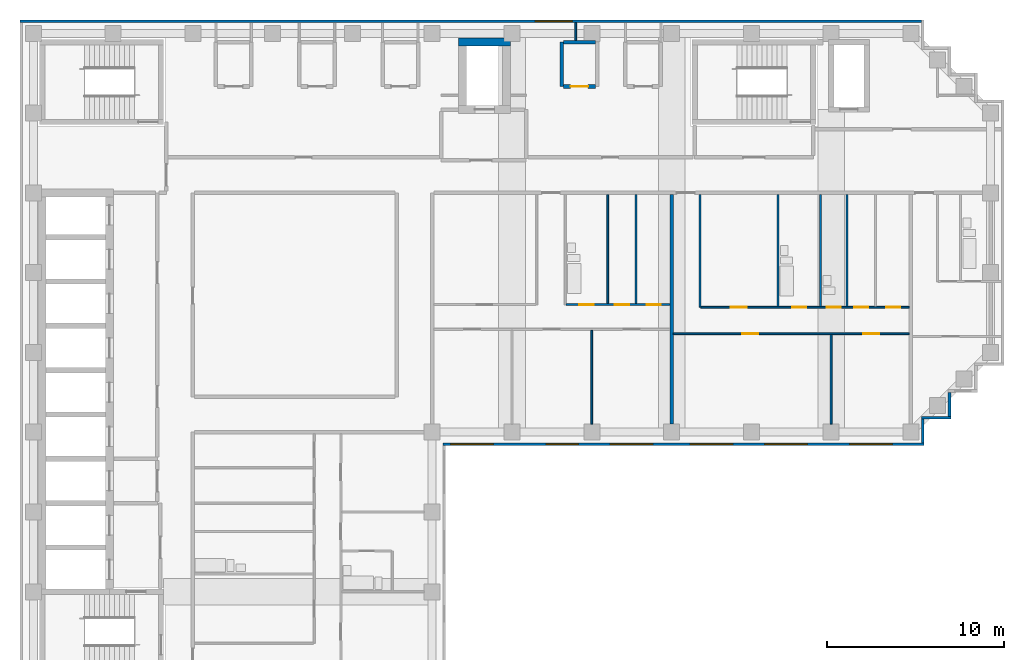
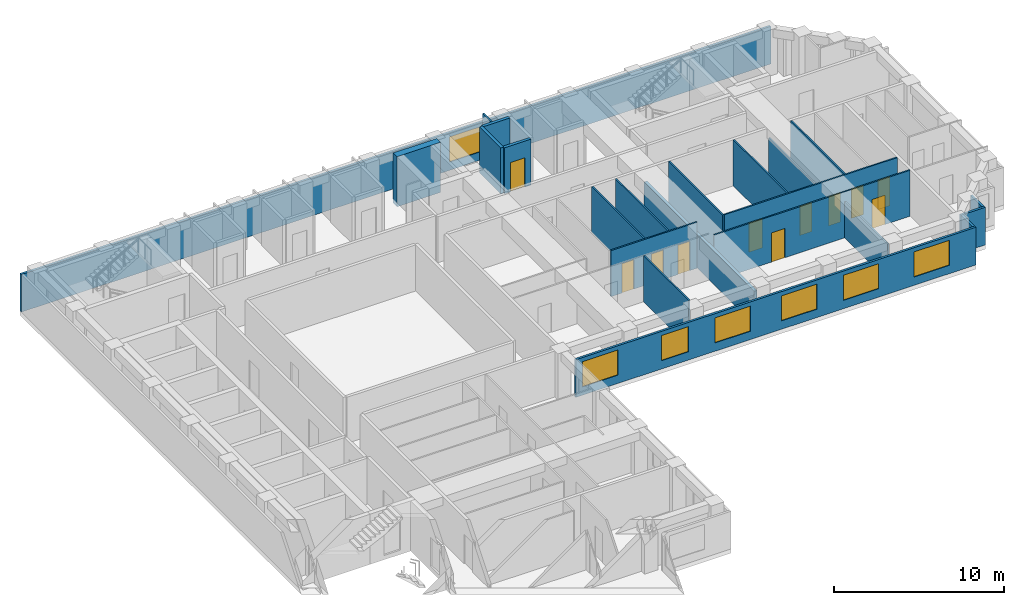
# One storey, part 6 of 10: 22 walls, 11 doors, 7 windows, 18 openings.
"""IFC4 building model written with IfcOpenShell, lengths in metres."""

import ifcopenshell
import ifcopenshell.guid

model = None  # the IFC model being written
_history = None  # IfcOwnerHistory: only IFC2X3 demands one
_inside = {}  # id of a spatial element -> (the spatial element, [elements in it])
_under = {}  # id of a project, library or spatial element -> (it, [spatial elements below it])
_declared = {}  # id of a project -> (the project, [libraries it declares])
_typed = {}  # id of a type object -> (the type object, [elements of that type])
_made_of = {}  # id of a material, layer set ... -> (it, [elements and type objects made of it])


def new_model(schema):
    """Start an empty IFC model of exactly this schema.

    Asked for "IFC4X3", IfcOpenShell would pick the latest addendum, in which some entities
    have other attributes; the version numbers below select the first issue.
    IFC2X3 requires an IfcOwnerHistory on every rooted entity: one is made here for all.
    """
    global model, _history
    if schema == "IFC4X3":
        model = ifcopenshell.file(schema_version=(4, 3, 0, 0))
    else:
        model = ifcopenshell.file(schema=schema)
    _inside.clear()
    _under.clear()
    _declared.clear()
    _typed.clear()
    _made_of.clear()
    _history = None
    if model.schema == "IFC2X3":
        org = make("IfcOrganization", Name="unknown")
        user = make(
            "IfcPersonAndOrganization",
            ThePerson=make("IfcPerson", FamilyName="unknown"),
            TheOrganization=org,
        )
        app = make(
            "IfcApplication",
            ApplicationDeveloper=org,
            Version="unknown",
            ApplicationFullName="unknown",
            ApplicationIdentifier="unknown",
        )
        _history = make(
            "IfcOwnerHistory",
            OwningUser=user,
            OwningApplication=app,
            ChangeAction="ADDED",
            CreationDate=0,
        )
    return model


def make(cls, **values):
    """One entity of the class cls with the attributes given. An attribute that is None is left unset."""
    return model.create_entity(
        cls, **{name: value for name, value in values.items() if value is not None}
    )


def rooted(cls, **values):
    """An entity with a GlobalId (a new one), such as an element, a storey or a relation."""
    return make(cls, GlobalId=ifcopenshell.guid.new(), OwnerHistory=_history, **values)


def si_unit(unit_type, name, prefix=None):
    """IfcSIUnit, for example si_unit("LENGTHUNIT", "METRE", prefix="MILLI")."""
    return make("IfcSIUnit", UnitType=unit_type, Prefix=prefix, Name=name)


def assignment(units):
    """IfcUnitAssignment: the units of a project."""
    return None if units is None else make("IfcUnitAssignment", Units=units)


def point(xyz):
    """IfcCartesianPoint."""
    return None if xyz is None else make("IfcCartesianPoint", Coordinates=xyz)


def direction(xyz):
    """IfcDirection."""
    return None if xyz is None else make("IfcDirection", DirectionRatios=xyz)


def frame(location, z_axis=None, x_axis=None):
    """IfcAxis2Placement3D, a coordinate frame: its origin and axes. An axis left out is left unset."""
    return make(
        "IfcAxis2Placement3D",
        Location=point(location),
        Axis=direction(z_axis),
        RefDirection=direction(x_axis),
    )


def frame_2d(location, x_axis=None):
    """IfcAxis2Placement2D, a coordinate frame in the plane: its origin and x axis."""
    return make(
        "IfcAxis2Placement2D", Location=point(location), RefDirection=direction(x_axis)
    )


def origin():
    """The frame at (0, 0, 0) with its axes left unset."""
    return frame((0.0, 0.0, 0.0))


def place(relative_to, where):
    """IfcLocalPlacement: puts the frame where relative to a parent placement (None: the world)."""
    return make(
        "IfcLocalPlacement", PlacementRelTo=relative_to, RelativePlacement=where
    )


def context(
    kind, dimensions, precision=None, world=None, true_north=None, identifier=None
):
    """IfcGeometricRepresentationContext, for example the 3D "Model" context."""
    return make(
        "IfcGeometricRepresentationContext",
        ContextIdentifier=identifier,
        ContextType=kind,
        CoordinateSpaceDimension=dimensions,
        Precision=precision,
        WorldCoordinateSystem=world,
        TrueNorth=true_north,
    )


def subcontext(parent, identifier, kind, view, scale=None):
    """IfcGeometricRepresentationSubContext, for example "Body" below "Model"."""
    return make(
        "IfcGeometricRepresentationSubContext",
        ContextIdentifier=identifier,
        ContextType=kind,
        ParentContext=parent,
        TargetScale=scale,
        TargetView=view,
    )


def project(units=None, contexts=None):
    """IfcProject with its units and contexts."""
    return rooted(
        "IfcProject",
        Name="project",
        RepresentationContexts=contexts,
        UnitsInContext=assignment(units),
    )


def spatial(cls, under=None, at=None, **own):
    """A site, building, storey or space (cls), placed at a placement, below another one or the project."""
    s = rooted(cls, ObjectPlacement=at, **own)
    if under is not None:
        _under.setdefault(under.id(), (under, []))[1].append(s)
    return s


def profile(cls, at=None, kind="AREA", **sizes):
    """A parametric profile (cls). Its sizes go by their IFC names, for example OverallWidth=200.0."""
    return make(cls, ProfileType=kind, Position=at, **sizes)


def rectangle(**sizes):
    """IfcRectangleProfileDef."""
    return profile("IfcRectangleProfileDef", **sizes)


def extrude(swept, where, along, depth):
    """IfcExtrudedAreaSolid: the profile swept, set in the frame where, extruded along a direction by depth."""
    return make(
        "IfcExtrudedAreaSolid",
        SweptArea=swept,
        Position=where,
        ExtrudedDirection=direction(along),
        Depth=depth,
    )


def shape(context_of_items, identifier, shape_type, items):
    """IfcShapeRepresentation: the items that make up one representation, for example the "Body"."""
    return make(
        "IfcShapeRepresentation",
        ContextOfItems=context_of_items,
        RepresentationIdentifier=identifier,
        RepresentationType=shape_type,
        Items=items,
    )


def material(Name=None, Category=None):
    """IfcMaterial."""
    return make("IfcMaterial", Name=Name, Category=Category)


def layer(
    of_material, thickness, ventilated=None, Name=None, Category=None, Priority=None
):
    """IfcMaterialLayer: one layer of a wall or slab, of a material (None: an air gap)."""
    return make(
        "IfcMaterialLayer",
        Material=of_material,
        LayerThickness=thickness,
        IsVentilated=ventilated,
        Name=Name,
        Category=Category,
        Priority=Priority,
    )


def layer_set(layers, Name=None):
    """IfcMaterialLayerSet."""
    return make("IfcMaterialLayerSet", MaterialLayers=layers, LayerSetName=Name)


def made_of(thing, what):
    """Note that an element or type object is made of a material, layer set ...; save() writes the relation."""
    if what is not None:
        _made_of.setdefault(what.id(), (what, []))[1].append(thing)
    return thing


def type_object(cls, material=None, **own):
    """A type object (cls), such as IfcWallType, which elements share."""
    return made_of(rooted(cls, **own), material)


def element(
    cls,
    number,
    at=None,
    inside=None,
    cuts=None,
    type_object=None,
    material=None,
    context=None,
    identifier="Body",
    shape_type=None,
    held_by="IfcProductDefinitionShape",
    body=None,
    shapes=None,
    **own,
):
    """One element of the class cls, such as IfcWall. Its Tag is "e" and its number.

    at: its placement. inside: the storey or other place that contains it. cuts: it is an
    opening in that element (IfcRelVoidsElement). A single representation is given by context,
    identifier, shape_type and body (its items); several are given by shapes. held_by: the class
    of the entity that holds the representations. save() writes the other relations.
    """
    e = rooted(cls, Tag="e%d" % number, ObjectPlacement=at, **own)
    if body is not None:
        shapes = [shape(context, identifier, shape_type, body)]
    if shapes is not None:
        e.Representation = make(held_by, Representations=shapes)
    if inside is not None:
        _inside.setdefault(inside.id(), (inside, []))[1].append(e)
    if cuts is not None:
        rooted(
            "IfcRelVoidsElement", RelatingBuildingElement=cuts, RelatedOpeningElement=e
        )
    if type_object is not None:
        _typed.setdefault(type_object.id(), (type_object, []))[1].append(e)
    return made_of(e, material)


def fill(opening, filler):
    """IfcRelFillsElement: the door or window that sits in an opening."""
    return rooted(
        "IfcRelFillsElement",
        RelatingOpeningElement=opening,
        RelatedBuildingElement=filler,
    )


def aggregate(whole, parts):
    """IfcRelAggregates: a whole, such as a stair, and the parts it consists of."""
    return rooted("IfcRelAggregates", RelatingObject=whole, RelatedObjects=parts)


def save(model, path):
    """Write the relations noted so far, then the file.

    IfcRelAggregates (storeys below a building ...), IfcRelContainedInSpatialStructure (elements
    in a storey), IfcRelDefinesByType, IfcRelAssociatesMaterial and IfcRelDeclares: one each for
    every whole, place, type object, material and project.
    """
    for whole, parts in _under.values():
        aggregate(whole, parts)
    for where, things in _inside.values():
        rooted(
            "IfcRelContainedInSpatialStructure",
            RelatedElements=things,
            RelatingStructure=where,
        )
    for kind, things in _typed.values():
        rooted("IfcRelDefinesByType", RelatedObjects=things, RelatingType=kind)
    for what, things in _made_of.values():
        rooted("IfcRelAssociatesMaterial", RelatedObjects=things, RelatingMaterial=what)
    for by, libraries in _declared.values():
        rooted("IfcRelDeclares", RelatingContext=by, RelatedDefinitions=libraries)
    model.write(path)


model = new_model("IFC4")

# Units and contexts
model_context = context("Model", 3, precision=1e-05, world=origin(), true_north=direction((0.0, 1.0)))
body_context = subcontext(model_context, "Body", "Model", "MODEL_VIEW")
ifc_project = project(units=[si_unit("LENGTHUNIT", "METRE"), si_unit("AREAUNIT", "SQUARE_METRE"), si_unit("VOLUMEUNIT", "CUBIC_METRE"), si_unit("PLANEANGLEUNIT", "RADIAN"), si_unit("MASSUNIT", "GRAM", prefix="KILO")], contexts=[model_context])

# Site, building, storey
site_placement = place(None, origin())
site = spatial("IfcSite", under=ifc_project, at=site_placement, CompositionType="ELEMENT")
building_placement = place(site_placement, origin())
building = spatial("IfcBuilding", under=site, at=building_placement, Name="Firuza Court", CompositionType="ELEMENT")
storey_placement = place(building_placement, frame((0.0, 0.0, 193.39990234375)))
storey = spatial("IfcBuildingStorey", under=building, at=storey_placement, Name="L49", CompositionType="ELEMENT", Elevation=193.39990234375)

# Walls
ifc_material_1 = material(Name="Moisture-resistant gypsum board partition")
ifc_layer_1 = layer(ifc_material_1, 0.10009765625)
ifc_layer_set_1 = layer_set([ifc_layer_1], Name="Moisture-resistant gypsum board partition")
wall_type_1 = type_object("IfcWallType", Name="Bathroom partition 100", PredefinedType="PLUMBINGWALL", material=ifc_layer_set_1)
wall_1_placement = place(storey_placement, frame((42.0, 43.10009765625, 0.0), z_axis=(0.0, 0.0, 1.0), x_axis=(0.0, 1.0, 0.0)))
element("IfcWall", 1, at=wall_1_placement, inside=storey, type_object=wall_type_1, Name="Bathroom partition 100 L49", PredefinedType="PLUMBINGWALL", context=body_context, shape_type="SweptSolid", body=[
    extrude(rectangle(XDim=6.2998046875, YDim=0.10009765625, at=frame_2d((3.14990234375, 0.0))), origin(), (0.0, 0.0, 1.0), 3.300048828125),
])
wall_2_placement = place(storey_placement, frame((44.39990234375, 43.10009765625, 0.0), z_axis=(0.0, 0.0, 1.0), x_axis=(0.0, 1.0, 0.0)))
element("IfcWall", 2, at=wall_2_placement, inside=storey, type_object=wall_type_1, Name="Bathroom partition 100 L49", PredefinedType="PLUMBINGWALL", context=body_context, shape_type="SweptSolid", body=[
    extrude(rectangle(XDim=6.2998046875, YDim=0.10009765625, at=frame_2d((3.14990234375, 0.0))), origin(), (0.0, 0.0, 1.0), 2.60009765625),
])
wall_3_placement = place(storey_placement, frame((45.89990234375, 43.10009765625, 0.0), z_axis=(0.0, 0.0, 1.0), x_axis=(0.0, 1.0, 0.0)))
element("IfcWall", 3, at=wall_3_placement, inside=storey, type_object=wall_type_1, Name="Bathroom partition 100 L49", PredefinedType="PLUMBINGWALL", context=body_context, shape_type="SweptSolid", body=[
    extrude(rectangle(XDim=6.2998046875, YDim=0.10009765625, at=frame_2d((3.14990234375, 0.0))), origin(), (0.0, 0.0, 1.0), 3.300048828125),
])
wall_4_placement = place(storey_placement, frame((32.39990234375, 43.25, 0.0), z_axis=(0.0, 0.0, 1.0), x_axis=(0.0, 1.0, 0.0)))
element("IfcWall", 4, at=wall_4_placement, inside=storey, type_object=wall_type_1, Name="Bathroom partition 100 L49", PredefinedType="PLUMBINGWALL", context=body_context, shape_type="SweptSolid", body=[
    extrude(rectangle(XDim=6.14990234375, YDim=0.10009765625, at=frame_2d((3.074951171875, 0.0))), origin(), (0.0, 0.0, 1.0), 3.300048828125),
])
ifc_material_2 = material(Name="Concrete C50/60", Category="concrete")
ifc_layer_2 = layer(ifc_material_2, 0.449951171875)
ifc_layer_set_2 = layer_set([ifc_layer_2], Name="Concrete C50/60")
wall_type_2 = type_object("IfcWallType", Name="Core wall 450 C50/60", PredefinedType="SHEAR", material=ifc_layer_set_2)
wall_5_placement = place(storey_placement, frame((23.97509765625, 58.0, -0.2998046875), z_axis=(0.0, 0.0, 1.0), x_axis=(1.0, 0.0, 0.0)))
element("IfcWall", 5, at=wall_5_placement, inside=storey, type_object=wall_type_2, Name="Core wall lift shaft L49", PredefinedType="SHEAR", context=body_context, shape_type="SweptSolid", body=[
    extrude(rectangle(XDim=2.949951171875, YDim=0.449951171875, at=frame_2d((1.47509765625, 0.0))), origin(), (0.0, 0.0, 1.0), 3.599853515625),
])
ifc_material_3 = material(Name="Timber stud partition, plasterboard both sides", Category="wood")
ifc_layer_3 = layer(ifc_material_3, 0.10009765625)
ifc_layer_set_3 = layer_set([ifc_layer_3], Name="Timber stud partition, plasterboard both sides")
wall_type_3 = type_object("IfcWallType", Name="Partition wall 100", PredefinedType="PARTITIONING", material=ifc_layer_set_3)
wall_6_placement = place(storey_placement, frame((31.5, 36.449951171875, 0.0), z_axis=(0.0, 0.0, 1.0), x_axis=(0.0, 1.0, 0.0)))
element("IfcWall", 6, at=wall_6_placement, inside=storey, type_object=wall_type_3, Name="Partition wall 100 L49", PredefinedType="PARTITIONING", context=body_context, shape_type="SweptSolid", body=[
    extrude(rectangle(XDim=5.300048828125, YDim=0.10009765625, at=frame_2d((2.64990234375, 0.0))), origin(), (0.0, 0.0, 1.0), 3.300048828125),
])
wall_7_placement = place(storey_placement, frame((45.0, 36.449951171875, 0.0), z_axis=(0.0, 0.0, 1.0), x_axis=(0.0, 1.0, 0.0)))
element("IfcWall", 7, at=wall_7_placement, inside=storey, type_object=wall_type_3, Name="Partition wall 100 L49", PredefinedType="PARTITIONING", context=body_context, shape_type="SweptSolid", body=[
    extrude(rectangle(XDim=5.050048828125, YDim=0.10009765625, at=frame_2d((2.52490234375, 0.0))), origin(), (0.0, 0.0, 1.0), 2.60009765625),
])

# Wall, openings, doors
wall_8_placement = place(storey_placement, frame((36.10009765625, 41.550048828125, 0.0), z_axis=(0.0, 0.0, 1.0), x_axis=(1.0, 0.0, 0.0)))
wall_8 = element("IfcWall", 8, at=wall_8_placement, inside=storey, type_object=wall_type_3, Name="Partition wall 100 L49", PredefinedType="PARTITIONING", context=body_context, shape_type="SweptSolid", body=[
    extrude(rectangle(XDim=13.2998046875, YDim=0.10009765625, at=frame_2d((6.64990234375, 0.0))), origin(), (0.0, 0.0, 1.0), 3.300048828125),
])
opening_1_placement = place(wall_8_placement, frame((3.89990234375, 0.0, 0.0)))
opening_1 = element("IfcOpeningElement", 9, at=opening_1_placement, cuts=wall_8, Name="Opening D49039", PredefinedType="OPENING", context=body_context, shape_type="SweptSolid", body=[
    extrude(rectangle(XDim=0.89990234375, YDim=2.10009765625, at=frame_2d((0.449951171875, 1.050048828125))), frame((0.0, 0.06201171875, 0.0), z_axis=(0.0, -1.0, 0.0), x_axis=(1.0, 0.0, 0.0)), (0.0, 0.0, 1.0), 0.1240234375),
])
opening_2_placement = place(wall_8_placement, frame((10.699951171875, 0.0, 0.0)))
opening_2 = element("IfcOpeningElement", 10, at=opening_2_placement, cuts=wall_8, Name="Opening D49040", PredefinedType="OPENING", context=body_context, shape_type="SweptSolid", body=[
    extrude(rectangle(XDim=0.89990234375, YDim=2.10009765625, at=frame_2d((0.449951171875, 1.050048828125))), frame((0.0, 0.06201171875, 0.0), z_axis=(0.0, -1.0, 0.0), x_axis=(1.0, 0.0, 0.0)), (0.0, 0.0, 1.0), 0.1240234375),
])
ifc_material_4 = material(Name="Timber door leaf in hardwood frame", Category="wood")
door_type_1 = type_object("IfcDoorType", Name="Room door 900", OperationType="SINGLE_SWING_LEFT", PredefinedType="DOOR", material=ifc_material_4)
door_1_placement = place(opening_1_placement, frame((0.89990234375, 0.0, 0.0), z_axis=(0.0, 0.0, 1.0), x_axis=(-1.0, 0.0, 0.0)))
door_1 = element("IfcDoor", 11, at=door_1_placement, inside=storey, type_object=door_type_1, Name="Living room door", OperationType="SINGLE_SWING_RIGHT", OverallHeight=2.10009765625, OverallWidth=0.89990234375, PredefinedType="DOOR", context=body_context, shape_type="SweptSolid", body=[
    extrude(rectangle(XDim=0.89990234375, YDim=2.10009765625, at=frame_2d((0.449951171875, 1.050048828125))), frame((0.0, 0.02490234375, 0.0), z_axis=(0.0, -1.0, 0.0), x_axis=(1.0, 0.0, 0.0)), (0.0, 0.0, 1.0), 0.050048828125),
])
fill(opening_1, door_1)
door_2_placement = place(opening_2_placement, frame((0.89990234375, 0.0, 0.0), z_axis=(0.0, 0.0, 1.0), x_axis=(-1.0, 0.0, 0.0)))
door_2 = element("IfcDoor", 12, at=door_2_placement, inside=storey, type_object=door_type_1, Name="Bedroom door", OperationType="SINGLE_SWING_RIGHT", OverallHeight=2.10009765625, OverallWidth=0.89990234375, PredefinedType="DOOR", context=body_context, shape_type="SweptSolid", body=[
    extrude(rectangle(XDim=0.89990234375, YDim=2.10009765625, at=frame_2d((0.449951171875, 1.050048828125))), frame((0.0, 0.02490234375, 0.0), z_axis=(0.0, -1.0, 0.0), x_axis=(1.0, 0.0, 0.0)), (0.0, 0.0, 1.0), 0.050048828125),
])
fill(opening_2, door_2)

# Wall
wall_9_placement = place(storey_placement, frame((37.60009765625, 43.050048828125, 0.0), z_axis=(0.0, 0.0, 1.0), x_axis=(0.0, 1.0, 0.0)))
element("IfcWall", 13, at=wall_9_placement, inside=storey, type_object=wall_type_3, Name="Partition wall 100 L49", PredefinedType="PARTITIONING", context=body_context, shape_type="SweptSolid", body=[
    extrude(rectangle(XDim=6.349853515625, YDim=0.10009765625, at=frame_2d((3.1748046875, 0.0))), origin(), (0.0, 0.0, 1.0), 3.300048828125),
])

# Wall, openings, doors
wall_10_placement = place(storey_placement, frame((37.64990234375, 43.050048828125, 0.0), z_axis=(0.0, 0.0, 1.0), x_axis=(1.0, 0.0, 0.0)))
wall_10 = element("IfcWall", 14, at=wall_10_placement, inside=storey, type_object=wall_type_3, Name="Partition wall 100 L49", PredefinedType="PARTITIONING", context=body_context, shape_type="SweptSolid", body=[
    extrude(rectangle(XDim=11.75, YDim=0.10009765625, at=frame_2d((5.875, 0.0))), origin(), (0.0, 0.0, 1.0), 3.300048828125),
])
opening_3_placement = place(wall_10_placement, frame((5.14990234375, 0.0, 0.0)))
opening_3 = element("IfcOpeningElement", 15, at=opening_3_placement, cuts=wall_10, Name="Opening D49044", PredefinedType="OPENING", context=body_context, shape_type="SweptSolid", body=[
    extrude(rectangle(XDim=0.800048828125, YDim=2.10009765625, at=frame_2d((0.39990234375, 1.050048828125))), frame((0.0, 0.06201171875, 0.0), z_axis=(0.0, -1.0, 0.0), x_axis=(1.0, 0.0, 0.0)), (0.0, 0.0, 1.0), 0.1240234375),
])
opening_4_placement = place(wall_10_placement, frame((1.699951171875, 0.0, 0.0)))
opening_4 = element("IfcOpeningElement", 16, at=opening_4_placement, cuts=wall_10, Name="Opening D49045", PredefinedType="OPENING", context=body_context, shape_type="SweptSolid", body=[
    extrude(rectangle(XDim=0.89990234375, YDim=2.10009765625, at=frame_2d((0.449951171875, 1.050048828125))), frame((0.0, 0.06201171875, 0.0), z_axis=(0.0, -1.0, 0.0), x_axis=(1.0, 0.0, 0.0)), (0.0, 0.0, 1.0), 0.1240234375),
])
opening_5_placement = place(wall_10_placement, frame((8.64990234375, 0.0, 0.0)))
opening_5 = element("IfcOpeningElement", 17, at=opening_5_placement, cuts=wall_10, Name="Opening D49046", PredefinedType="OPENING", context=body_context, shape_type="SweptSolid", body=[
    extrude(rectangle(XDim=0.800048828125, YDim=2.10009765625, at=frame_2d((0.39990234375, 1.050048828125))), frame((0.0, 0.06201171875, 0.0), z_axis=(0.0, -1.0, 0.0), x_axis=(1.0, 0.0, 0.0)), (0.0, 0.0, 1.0), 0.1240234375),
])
opening_6_placement = place(wall_10_placement, frame((10.449951171875, 0.0, 0.0)))
opening_6 = element("IfcOpeningElement", 18, at=opening_6_placement, cuts=wall_10, Name="Opening D49047", PredefinedType="OPENING", context=body_context, shape_type="SweptSolid", body=[
    extrude(rectangle(XDim=0.800048828125, YDim=2.10009765625, at=frame_2d((0.39990234375, 1.050048828125))), frame((0.0, 0.06201171875, 0.0), z_axis=(0.0, -1.0, 0.0), x_axis=(1.0, 0.0, 0.0)), (0.0, 0.0, 1.0), 0.1240234375),
])
opening_7_placement = place(wall_10_placement, frame((7.10009765625, 0.0, 0.0)))
opening_7 = element("IfcOpeningElement", 19, at=opening_7_placement, cuts=wall_10, Name="Opening D49048", PredefinedType="OPENING", context=body_context, shape_type="SweptSolid", body=[
    extrude(rectangle(XDim=0.800048828125, YDim=2.10009765625, at=frame_2d((0.39990234375, 1.050048828125))), frame((0.0, 0.06201171875, 0.0), z_axis=(0.0, -1.0, 0.0), x_axis=(1.0, 0.0, 0.0)), (0.0, 0.0, 1.0), 0.1240234375),
])
ifc_material_5 = material(Name="Timber door leaf in hardwood frame", Category="wood")
door_type_2 = type_object("IfcDoorType", Name="Bathroom door 800", OperationType="SINGLE_SWING_LEFT", PredefinedType="DOOR", material=ifc_material_5)
door_3_placement = place(opening_3_placement, origin())
door_3 = element("IfcDoor", 20, at=door_3_placement, inside=storey, type_object=door_type_2, Name="Bathroom door", OperationType="SINGLE_SWING_LEFT", OverallHeight=2.10009765625, OverallWidth=0.800048828125, PredefinedType="DOOR", context=body_context, shape_type="SweptSolid", body=[
    extrude(rectangle(XDim=0.800048828125, YDim=2.10009765625, at=frame_2d((0.39990234375, 1.050048828125))), frame((0.0, 0.02490234375, 0.0), z_axis=(0.0, -1.0, 0.0), x_axis=(1.0, 0.0, 0.0)), (0.0, 0.0, 1.0), 0.050048828125),
])
fill(opening_3, door_3)
door_4_placement = place(opening_7_placement, origin())
door_4 = element("IfcDoor", 21, at=door_4_placement, inside=storey, type_object=door_type_2, Name="Powder room door", OperationType="SINGLE_SWING_LEFT", OverallHeight=2.10009765625, OverallWidth=0.800048828125, PredefinedType="DOOR", context=body_context, shape_type="SweptSolid", body=[
    extrude(rectangle(XDim=0.800048828125, YDim=2.10009765625, at=frame_2d((0.39990234375, 1.050048828125))), frame((0.0, 0.02490234375, 0.0), z_axis=(0.0, -1.0, 0.0), x_axis=(1.0, 0.0, 0.0)), (0.0, 0.0, 1.0), 0.050048828125),
])
fill(opening_7, door_4)
ifc_material_6 = material(Name="Timber door leaf in hardwood frame", Category="wood")
door_type_3 = type_object("IfcDoorType", Name="Room door 800", OperationType="SINGLE_SWING_LEFT", PredefinedType="DOOR", material=ifc_material_6)
door_5_placement = place(opening_5_placement, origin())
door_5 = element("IfcDoor", 22, at=door_5_placement, inside=storey, type_object=door_type_3, Name="Store door", OperationType="SINGLE_SWING_LEFT", OverallHeight=2.10009765625, OverallWidth=0.800048828125, PredefinedType="DOOR", context=body_context, shape_type="SweptSolid", body=[
    extrude(rectangle(XDim=0.800048828125, YDim=2.10009765625, at=frame_2d((0.39990234375, 1.050048828125))), frame((0.0, 0.02490234375, 0.0), z_axis=(0.0, -1.0, 0.0), x_axis=(1.0, 0.0, 0.0)), (0.0, 0.0, 1.0), 0.050048828125),
])
fill(opening_5, door_5)
door_6_placement = place(opening_6_placement, origin())
door_6 = element("IfcDoor", 23, at=door_6_placement, inside=storey, type_object=door_type_3, Name="Utility room door", OperationType="SINGLE_SWING_LEFT", OverallHeight=2.10009765625, OverallWidth=0.800048828125, PredefinedType="DOOR", context=body_context, shape_type="SweptSolid", body=[
    extrude(rectangle(XDim=0.800048828125, YDim=2.10009765625, at=frame_2d((0.39990234375, 1.050048828125))), frame((0.0, 0.02490234375, 0.0), z_axis=(0.0, -1.0, 0.0), x_axis=(1.0, 0.0, 0.0)), (0.0, 0.0, 1.0), 0.050048828125),
])
fill(opening_6, door_6)
door_7_placement = place(opening_4_placement, origin())
door_7 = element("IfcDoor", 24, at=door_7_placement, inside=storey, type_object=door_type_1, Name="Kitchen door", OperationType="SINGLE_SWING_LEFT", OverallHeight=2.10009765625, OverallWidth=0.89990234375, PredefinedType="DOOR", context=body_context, shape_type="SweptSolid", body=[
    extrude(rectangle(XDim=0.89990234375, YDim=2.10009765625, at=frame_2d((0.449951171875, 1.050048828125))), frame((0.0, 0.02490234375, 0.0), z_axis=(0.0, -1.0, 0.0), x_axis=(1.0, 0.0, 0.0)), (0.0, 0.0, 1.0), 0.050048828125),
])
fill(opening_4, door_7)

wall_11_placement = place(storey_placement, frame((30.050048828125, 43.199951171875, 0.0), z_axis=(0.0, 0.0, 1.0), x_axis=(1.0, 0.0, 0.0)))
wall_11 = element("IfcWall", 25, at=wall_11_placement, inside=storey, type_object=wall_type_3, Name="Partition wall 100 L49", PredefinedType="PARTITIONING", context=body_context, shape_type="SweptSolid", body=[
    extrude(rectangle(XDim=5.849853515625, YDim=0.10009765625, at=frame_2d((2.9248046875, 0.0))), origin(), (0.0, 0.0, 1.0), 3.300048828125),
])
opening_8_placement = place(wall_11_placement, frame((0.75, 0.0, 0.0)))
opening_8 = element("IfcOpeningElement", 26, at=opening_8_placement, cuts=wall_11, Name="Opening D49050", PredefinedType="OPENING", context=body_context, shape_type="SweptSolid", body=[
    extrude(rectangle(XDim=0.800048828125, YDim=2.10009765625, at=frame_2d((0.39990234375, 1.050048828125))), frame((0.0, 0.06201171875, 0.0), z_axis=(0.0, -1.0, 0.0), x_axis=(1.0, 0.0, 0.0)), (0.0, 0.0, 1.0), 0.1240234375),
])
opening_9_placement = place(wall_11_placement, frame((2.75, 0.0, 0.0)))
opening_9 = element("IfcOpeningElement", 27, at=opening_9_placement, cuts=wall_11, Name="Opening D49051", PredefinedType="OPENING", context=body_context, shape_type="SweptSolid", body=[
    extrude(rectangle(XDim=0.800048828125, YDim=2.10009765625, at=frame_2d((0.39990234375, 1.050048828125))), frame((0.0, 0.06201171875, 0.0), z_axis=(0.0, -1.0, 0.0), x_axis=(1.0, 0.0, 0.0)), (0.0, 0.0, 1.0), 0.1240234375),
])
opening_10_placement = place(wall_11_placement, frame((4.550048828125, 0.0, 0.0)))
opening_10 = element("IfcOpeningElement", 28, at=opening_10_placement, cuts=wall_11, Name="Opening D49052", PredefinedType="OPENING", context=body_context, shape_type="SweptSolid", body=[
    extrude(rectangle(XDim=0.800048828125, YDim=2.10009765625, at=frame_2d((0.39990234375, 1.050048828125))), frame((0.0, 0.06201171875, 0.0), z_axis=(0.0, -1.0, 0.0), x_axis=(1.0, 0.0, 0.0)), (0.0, 0.0, 1.0), 0.1240234375),
])
door_8_placement = place(opening_8_placement, origin())
door_8 = element("IfcDoor", 29, at=door_8_placement, inside=storey, type_object=door_type_2, Name="Bathroom door", OperationType="SINGLE_SWING_LEFT", OverallHeight=2.10009765625, OverallWidth=0.800048828125, PredefinedType="DOOR", context=body_context, shape_type="SweptSolid", body=[
    extrude(rectangle(XDim=0.800048828125, YDim=2.10009765625, at=frame_2d((0.39990234375, 1.050048828125))), frame((0.0, 0.02490234375, 0.0), z_axis=(0.0, -1.0, 0.0), x_axis=(1.0, 0.0, 0.0)), (0.0, 0.0, 1.0), 0.050048828125),
])
fill(opening_8, door_8)
door_9_placement = place(opening_9_placement, origin())
door_9 = element("IfcDoor", 30, at=door_9_placement, inside=storey, type_object=door_type_3, Name="Store door", OperationType="SINGLE_SWING_LEFT", OverallHeight=2.10009765625, OverallWidth=0.800048828125, PredefinedType="DOOR", context=body_context, shape_type="SweptSolid", body=[
    extrude(rectangle(XDim=0.800048828125, YDim=2.10009765625, at=frame_2d((0.39990234375, 1.050048828125))), frame((0.0, 0.02490234375, 0.0), z_axis=(0.0, -1.0, 0.0), x_axis=(1.0, 0.0, 0.0)), (0.0, 0.0, 1.0), 0.050048828125),
])
fill(opening_9, door_9)
door_10_placement = place(opening_10_placement, origin())
door_10 = element("IfcDoor", 31, at=door_10_placement, inside=storey, type_object=door_type_3, Name="Utility room door", OperationType="SINGLE_SWING_LEFT", OverallHeight=2.10009765625, OverallWidth=0.800048828125, PredefinedType="DOOR", context=body_context, shape_type="SweptSolid", body=[
    extrude(rectangle(XDim=0.800048828125, YDim=2.10009765625, at=frame_2d((0.39990234375, 1.050048828125))), frame((0.0, 0.02490234375, 0.0), z_axis=(0.0, -1.0, 0.0), x_axis=(1.0, 0.0, 0.0)), (0.0, 0.0, 1.0), 0.050048828125),
])
fill(opening_10, door_10)

# Walls
wall_12_placement = place(storey_placement, frame((34.0, 43.25, 0.0), z_axis=(0.0, 0.0, 1.0), x_axis=(0.0, 1.0, 0.0)))
element("IfcWall", 32, at=wall_12_placement, inside=storey, type_object=wall_type_3, Name="Partition wall 100 L49", PredefinedType="PARTITIONING", context=body_context, shape_type="SweptSolid", body=[
    extrude(rectangle(XDim=6.14990234375, YDim=0.10009765625, at=frame_2d((3.074951171875, 0.0))), origin(), (0.0, 0.0, 1.0), 3.300048828125),
])
wall_13_placement = place(storey_placement, frame((30.60009765625, 58.10009765625, 0.0), z_axis=(0.0, 0.0, 1.0), x_axis=(0.0, 1.0, 0.0)))
element("IfcWall", 33, at=wall_13_placement, inside=storey, type_object=wall_type_3, Name="Partition wall 100 L49", PredefinedType="PARTITIONING", context=body_context, shape_type="SweptSolid", body=[
    extrude(rectangle(XDim=1.0, YDim=0.10009765625, at=frame_2d((0.5, 0.0))), origin(), (0.0, 0.0, 1.0), 3.300048828125),
])
ifc_material_7 = material(Name="Blockwork, plastered both sides", Category="masonry")
ifc_layer_4 = layer(ifc_material_7, 0.199951171875)
ifc_layer_set_4 = layer_set([ifc_layer_4], Name="Blockwork, plastered both sides")
wall_type_4 = type_object("IfcWallType", Name="Party wall 200", PredefinedType="PARTITIONING", material=ifc_layer_set_4)
wall_14_placement = place(storey_placement, frame((36.0, 36.449951171875, 0.0), z_axis=(0.0, 0.0, 1.0), x_axis=(0.0, 1.0, 0.0)))
element("IfcWall", 34, at=wall_14_placement, inside=storey, type_object=wall_type_4, Name="Party wall 200 L49", PredefinedType="PARTITIONING", context=body_context, shape_type="SweptSolid", body=[
    extrude(rectangle(XDim=12.949951171875, YDim=0.199951171875, at=frame_2d((6.47509765625, 0.0))), origin(), (0.0, 0.0, 1.0), 2.400146484375),
])
ifc_material_8 = material(Name="Blockwork, fire-rated", Category="masonry")
ifc_layer_5 = layer(ifc_material_8, 0.199951171875)
ifc_layer_set_5 = layer_set([ifc_layer_5], Name="Blockwork, fire-rated")
wall_type_5 = type_object("IfcWallType", Name="Plant room wall 200", PredefinedType="PARTITIONING", material=ifc_layer_set_5)
wall_15_placement = place(storey_placement, frame((29.800048828125, 55.5, 0.0), z_axis=(0.0, 0.0, 1.0), x_axis=(0.0, 1.0, 0.0)))
element("IfcWall", 35, at=wall_15_placement, inside=storey, type_object=wall_type_5, Name="Plant room wall 200 L49", PredefinedType="PARTITIONING", context=body_context, shape_type="SweptSolid", body=[
    extrude(rectangle(XDim=2.5, YDim=0.199951171875, at=frame_2d((1.25, 0.0))), origin(), (0.0, 0.0, 1.0), 3.300048828125),
])

# Wall, opening, door
wall_16_placement = place(storey_placement, frame((29.89990234375, 55.5, 0.0), z_axis=(0.0, 0.0, 1.0), x_axis=(1.0, 0.0, 0.0)))
wall_16 = element("IfcWall", 36, at=wall_16_placement, inside=storey, type_object=wall_type_5, Name="Plant room wall 200 L49", PredefinedType="PARTITIONING", context=body_context, shape_type="SweptSolid", body=[
    extrude(rectangle(XDim=1.800048828125, YDim=0.199951171875, at=frame_2d((0.89990234375, 0.0))), origin(), (0.0, 0.0, 1.0), 3.300048828125),
])
opening_11_placement = place(wall_16_placement, frame((0.39990234375, 0.0, 0.0)))
opening_11 = element("IfcOpeningElement", 37, at=opening_11_placement, cuts=wall_16, Name="Opening D49064", PredefinedType="OPENING", context=body_context, shape_type="SweptSolid", body=[
    extrude(rectangle(XDim=1.0, YDim=2.10009765625, at=frame_2d((0.5, 1.050048828125))), frame((0.0, 0.11181640625, 0.0), z_axis=(0.0, -1.0, 0.0), x_axis=(1.0, 0.0, 0.0)), (0.0, 0.0, 1.0), 0.223876953125),
])
ifc_material_9 = material(Name="Timber door leaf in hardwood frame", Category="wood")
door_type_4 = type_object("IfcDoorType", Name="Riser door 1000", OperationType="SINGLE_SWING_LEFT", PredefinedType="DOOR", material=ifc_material_9)
door_11_placement = place(opening_11_placement, origin())
door_11 = element("IfcDoor", 38, at=door_11_placement, inside=storey, type_object=door_type_4, Name="Electrical riser door", OperationType="SINGLE_SWING_LEFT", OverallHeight=2.10009765625, OverallWidth=1.0, PredefinedType="DOOR", context=body_context, shape_type="SweptSolid", body=[
    extrude(rectangle(XDim=1.0, YDim=2.10009765625, at=frame_2d((0.5, 1.050048828125))), frame((0.0, 0.02490234375, 0.0), z_axis=(0.0, -1.0, 0.0), x_axis=(1.0, 0.0, 0.0)), (0.0, 0.0, 1.0), 0.050048828125),
])
fill(opening_11, door_11)

# Wall
wall_17_placement = place(storey_placement, frame((29.89990234375, 58.0, 0.0), z_axis=(0.0, 0.0, 1.0), x_axis=(1.0, 0.0, 0.0)))
element("IfcWall", 39, at=wall_17_placement, inside=storey, type_object=wall_type_5, Name="Plant room wall 200 L49", PredefinedType="PARTITIONING", context=body_context, shape_type="SweptSolid", body=[
    extrude(rectangle(XDim=1.800048828125, YDim=0.199951171875, at=frame_2d((0.89990234375, 0.0))), origin(), (0.0, 0.0, 1.0), 3.300048828125),
])

# Wall, openings, windows
ifc_material_10 = material(Name="Ceramic tile", Category="ceramic")
ifc_layer_6 = layer(ifc_material_10, 0.02001953125)
ifc_material_11 = material(Name="Mineral wool insulation", Category="insulation")
ifc_layer_7 = layer(ifc_material_11, 0.050048828125)
ifc_material_12 = material(Name="Concrete C40/50 precast", Category="concrete")
ifc_layer_8 = layer(ifc_material_12, 0.080078125)
ifc_layer_set_6 = layer_set([ifc_layer_6, ifc_layer_7, ifc_layer_8], Name="Concrete C40/50 precast")
wall_type_6 = type_object("IfcWallType", Name="Precast cladding wall with turquoise TILE PANEL face 150", PredefinedType="STANDARD", material=ifc_layer_set_6)
wall_18_placement = place(storey_placement, frame((23.10009765625, 35.324951171875, 0.0), z_axis=(0.0, 0.0, 1.0), x_axis=(1.0, 0.0, 0.0)))
wall_18 = element("IfcWall", 40, at=wall_18_placement, inside=storey, type_object=wall_type_6, Name="Facade wall L49 S", PredefinedType="STANDARD", context=body_context, shape_type="SweptSolid", body=[
    extrude(rectangle(XDim=27.14990234375, YDim=0.14990234375, at=frame_2d((13.574951171875, 0.0))), origin(), (0.0, 0.0, 1.0), 2.7001953125),
])
opening_12_placement = place(wall_18_placement, frame((0.449951171875, 0.0, 0.60009765625)))
opening_12 = element("IfcOpeningElement", 41, at=opening_12_placement, cuts=wall_18, Name="Opening W1", PredefinedType="OPENING", context=body_context, shape_type="SweptSolid", body=[
    extrude(rectangle(XDim=2.39990234375, YDim=1.800048828125, at=frame_2d((1.199951171875, 0.89990234375))), frame((0.0, 0.0869140625, 0.0), z_axis=(0.0, -1.0, 0.0), x_axis=(1.0, 0.0, 0.0)), (0.0, 0.0, 1.0), 0.173828125),
])
opening_13_placement = place(wall_18_placement, frame((5.830810546875, 0.0, 0.60009765625)))
opening_13 = element("IfcOpeningElement", 42, at=opening_13_placement, cuts=wall_18, Name="Opening W7", PredefinedType="OPENING", context=body_context, shape_type="SweptSolid", body=[
    extrude(rectangle(XDim=1.800048828125, YDim=1.800048828125, at=frame_2d((0.89990234375, 0.89990234375))), frame((0.0, 0.0869140625, 0.0), z_axis=(0.0, -1.0, 0.0), x_axis=(1.0, 0.0, 0.0)), (0.0, 0.0, 1.0), 0.173828125),
])
opening_14_placement = place(wall_18_placement, frame((9.449951171875, 0.0, 0.60009765625)))
opening_14 = element("IfcOpeningElement", 43, at=opening_14_placement, cuts=wall_18, Name="Opening W1", PredefinedType="OPENING", context=body_context, shape_type="SweptSolid", body=[
    extrude(rectangle(XDim=2.39990234375, YDim=1.800048828125, at=frame_2d((1.199951171875, 0.89990234375))), frame((0.0, 0.0869140625, 0.0), z_axis=(0.0, -1.0, 0.0), x_axis=(1.0, 0.0, 0.0)), (0.0, 0.0, 1.0), 0.173828125),
])
opening_15_placement = place(wall_18_placement, frame((13.949951171875, 0.0, 0.60009765625)))
opening_15 = element("IfcOpeningElement", 44, at=opening_15_placement, cuts=wall_18, Name="Opening W1", PredefinedType="OPENING", context=body_context, shape_type="SweptSolid", body=[
    extrude(rectangle(XDim=2.39990234375, YDim=1.800048828125, at=frame_2d((1.199951171875, 0.89990234375))), frame((0.0, 0.0869140625, 0.0), z_axis=(0.0, -1.0, 0.0), x_axis=(1.0, 0.0, 0.0)), (0.0, 0.0, 1.0), 0.173828125),
])
opening_16_placement = place(wall_18_placement, frame((18.152587890625, 0.0, 0.60009765625)))
opening_16 = element("IfcOpeningElement", 45, at=opening_16_placement, cuts=wall_18, Name="Opening W1", PredefinedType="OPENING", context=body_context, shape_type="SweptSolid", body=[
    extrude(rectangle(XDim=2.39990234375, YDim=1.800048828125, at=frame_2d((1.199951171875, 0.89990234375))), frame((0.0, 0.0869140625, 0.0), z_axis=(0.0, -1.0, 0.0), x_axis=(1.0, 0.0, 0.0)), (0.0, 0.0, 1.0), 0.173828125),
])
opening_17_placement = place(wall_18_placement, frame((22.949951171875, 0.0, 0.60009765625)))
opening_17 = element("IfcOpeningElement", 46, at=opening_17_placement, cuts=wall_18, Name="Opening W1", PredefinedType="OPENING", context=body_context, shape_type="SweptSolid", body=[
    extrude(rectangle(XDim=2.39990234375, YDim=1.800048828125, at=frame_2d((1.199951171875, 0.89990234375))), frame((0.0, 0.0869140625, 0.0), z_axis=(0.0, -1.0, 0.0), x_axis=(1.0, 0.0, 0.0)), (0.0, 0.0, 1.0), 0.173828125),
])
ifc_material_13 = material(Name="Aluminium frame, triple clear glazing", Category="aluminium")
window_type_1 = type_object("IfcWindowType", Name="Window W1 2400 x 1800", PartitioningType="SINGLE_PANEL", PredefinedType="WINDOW", material=ifc_material_13)
window_1_placement = place(opening_12_placement, origin())
window_1 = element("IfcWindow", 47, at=window_1_placement, inside=storey, type_object=window_type_1, Name="Window L49", OverallHeight=1.800048828125, OverallWidth=2.39990234375, PartitioningType="SINGLE_PANEL", PredefinedType="WINDOW", context=body_context, shape_type="SweptSolid", body=[
    extrude(rectangle(XDim=2.39990234375, YDim=1.800048828125, at=frame_2d((1.199951171875, 0.89990234375))), frame((0.0, 0.030029296875, 0.0), z_axis=(0.0, -1.0, 0.0), x_axis=(1.0, 0.0, 0.0)), (0.0, 0.0, 1.0), 0.06005859375),
])
fill(opening_12, window_1)
window_2_placement = place(opening_14_placement, origin())
window_2 = element("IfcWindow", 48, at=window_2_placement, inside=storey, type_object=window_type_1, Name="Window L49", OverallHeight=1.800048828125, OverallWidth=2.39990234375, PartitioningType="SINGLE_PANEL", PredefinedType="WINDOW", context=body_context, shape_type="SweptSolid", body=[
    extrude(rectangle(XDim=2.39990234375, YDim=1.800048828125, at=frame_2d((1.199951171875, 0.89990234375))), frame((0.0, 0.030029296875, 0.0), z_axis=(0.0, -1.0, 0.0), x_axis=(1.0, 0.0, 0.0)), (0.0, 0.0, 1.0), 0.06005859375),
])
fill(opening_14, window_2)
window_3_placement = place(opening_15_placement, origin())
window_3 = element("IfcWindow", 49, at=window_3_placement, inside=storey, type_object=window_type_1, Name="Window L49", OverallHeight=1.800048828125, OverallWidth=2.39990234375, PartitioningType="SINGLE_PANEL", PredefinedType="WINDOW", context=body_context, shape_type="SweptSolid", body=[
    extrude(rectangle(XDim=2.39990234375, YDim=1.800048828125, at=frame_2d((1.199951171875, 0.89990234375))), frame((0.0, 0.030029296875, 0.0), z_axis=(0.0, -1.0, 0.0), x_axis=(1.0, 0.0, 0.0)), (0.0, 0.0, 1.0), 0.06005859375),
])
fill(opening_15, window_3)
window_4_placement = place(opening_16_placement, origin())
window_4 = element("IfcWindow", 50, at=window_4_placement, inside=storey, type_object=window_type_1, Name="Window L49", OverallHeight=1.800048828125, OverallWidth=2.39990234375, PartitioningType="SINGLE_PANEL", PredefinedType="WINDOW", context=body_context, shape_type="SweptSolid", body=[
    extrude(rectangle(XDim=2.39990234375, YDim=1.800048828125, at=frame_2d((1.199951171875, 0.89990234375))), frame((0.0, 0.030029296875, 0.0), z_axis=(0.0, -1.0, 0.0), x_axis=(1.0, 0.0, 0.0)), (0.0, 0.0, 1.0), 0.06005859375),
])
fill(opening_16, window_4)
window_5_placement = place(opening_17_placement, origin())
window_5 = element("IfcWindow", 51, at=window_5_placement, inside=storey, type_object=window_type_1, Name="Window L49", OverallHeight=1.800048828125, OverallWidth=2.39990234375, PartitioningType="SINGLE_PANEL", PredefinedType="WINDOW", context=body_context, shape_type="SweptSolid", body=[
    extrude(rectangle(XDim=2.39990234375, YDim=1.800048828125, at=frame_2d((1.199951171875, 0.89990234375))), frame((0.0, 0.030029296875, 0.0), z_axis=(0.0, -1.0, 0.0), x_axis=(1.0, 0.0, 0.0)), (0.0, 0.0, 1.0), 0.06005859375),
])
fill(opening_17, window_5)
ifc_material_14 = material(Name="Aluminium frame, triple clear glazing", Category="aluminium")
window_type_2 = type_object("IfcWindowType", Name="Window W7 1800 x 1800", PartitioningType="SINGLE_PANEL", PredefinedType="WINDOW", material=ifc_material_14)
window_6_placement = place(opening_13_placement, origin())
window_6 = element("IfcWindow", 52, at=window_6_placement, inside=storey, type_object=window_type_2, Name="Window L49", OverallHeight=1.800048828125, OverallWidth=1.800048828125, PartitioningType="SINGLE_PANEL", PredefinedType="WINDOW", context=body_context, shape_type="SweptSolid", body=[
    extrude(rectangle(XDim=1.800048828125, YDim=1.800048828125, at=frame_2d((0.89990234375, 0.89990234375))), frame((0.0, 0.030029296875, 0.0), z_axis=(0.0, -1.0, 0.0), x_axis=(1.0, 0.0, 0.0)), (0.0, 0.0, 1.0), 0.06005859375),
])
fill(opening_13, window_6)

# Walls
wall_19_placement = place(storey_placement, frame((50.175048828125, 35.39990234375, 0.0), z_axis=(0.0, 0.0, 1.0), x_axis=(0.0, 1.0, 0.0)))
element("IfcWall", 53, at=wall_19_placement, inside=storey, type_object=wall_type_6, Name="Facade wall L49 E", PredefinedType="STANDARD", context=body_context, shape_type="SweptSolid", body=[
    extrude(rectangle(XDim=1.35009765625, YDim=0.14990234375, at=frame_2d((0.675048828125, 0.0))), origin(), (0.0, 0.0, 1.0), 2.7001953125),
])
wall_20_placement = place(storey_placement, frame((50.10009765625, 36.824951171875, 0.0), z_axis=(0.0, 0.0, 1.0), x_axis=(1.0, 0.0, 0.0)))
element("IfcWall", 54, at=wall_20_placement, inside=storey, type_object=wall_type_6, Name="Facade wall L49 S", PredefinedType="STANDARD", context=body_context, shape_type="SweptSolid", body=[
    extrude(rectangle(XDim=1.64990234375, YDim=0.14990234375, at=frame_2d((0.824951171875, 0.0))), origin(), (0.0, 0.0, 1.0), 2.7001953125),
])
wall_21_placement = place(storey_placement, frame((51.675048828125, 36.89990234375, 0.0), z_axis=(0.0, 0.0, 1.0), x_axis=(0.0, 1.0, 0.0)))
element("IfcWall", 55, at=wall_21_placement, inside=storey, type_object=wall_type_6, Name="Facade wall L49 E", PredefinedType="STANDARD", context=body_context, shape_type="SweptSolid", body=[
    extrude(rectangle(XDim=1.35009765625, YDim=0.14990234375, at=frame_2d((0.675048828125, 0.0))), origin(), (0.0, 0.0, 1.0), 2.7001953125),
])

# Wall, opening, window
wall_22_placement = place(storey_placement, frame((50.10009765625, 59.175048828125, 0.0), z_axis=(0.0, 0.0, 1.0), x_axis=(-1.0, 0.0, 0.0)))
wall_22 = element("IfcWall", 56, at=wall_22_placement, inside=storey, type_object=wall_type_6, Name="Facade wall L49 N", PredefinedType="STANDARD", context=body_context, shape_type="SweptSolid", body=[
    extrude(rectangle(XDim=50.85009765625, YDim=0.14990234375, at=frame_2d((25.425048828125, 0.0))), origin(), (0.0, 0.0, 1.0), 2.7001953125),
])
opening_18_placement = place(wall_22_placement, frame((19.70263671875, 0.0, 0.60009765625)))
opening_18 = element("IfcOpeningElement", 57, at=opening_18_placement, cuts=wall_22, Name="Opening W6", PredefinedType="OPENING", context=body_context, shape_type="SweptSolid", body=[
    extrude(rectangle(XDim=2.10009765625, YDim=1.800048828125, at=frame_2d((1.050048828125, 0.89990234375))), frame((0.0, 0.0869140625, 0.0), z_axis=(0.0, -1.0, 0.0), x_axis=(1.0, 0.0, 0.0)), (0.0, 0.0, 1.0), 0.173828125),
])
ifc_material_15 = material(Name="Aluminium frame, triple clear glazing", Category="aluminium")
window_type_3 = type_object("IfcWindowType", Name="Window W6 2100 x 1800", PartitioningType="SINGLE_PANEL", PredefinedType="WINDOW", material=ifc_material_15)
window_7_placement = place(opening_18_placement, origin())
window_7 = element("IfcWindow", 58, at=window_7_placement, inside=storey, type_object=window_type_3, Name="Window L49", OverallHeight=1.800048828125, OverallWidth=2.10009765625, PartitioningType="SINGLE_PANEL", PredefinedType="WINDOW", context=body_context, shape_type="SweptSolid", body=[
    extrude(rectangle(XDim=2.10009765625, YDim=1.800048828125, at=frame_2d((1.050048828125, 0.89990234375))), frame((0.0, 0.030029296875, 0.0), z_axis=(0.0, -1.0, 0.0), x_axis=(1.0, 0.0, 0.0)), (0.0, 0.0, 1.0), 0.06005859375),
])
fill(opening_18, window_7)

save(model, "model.ifc")
